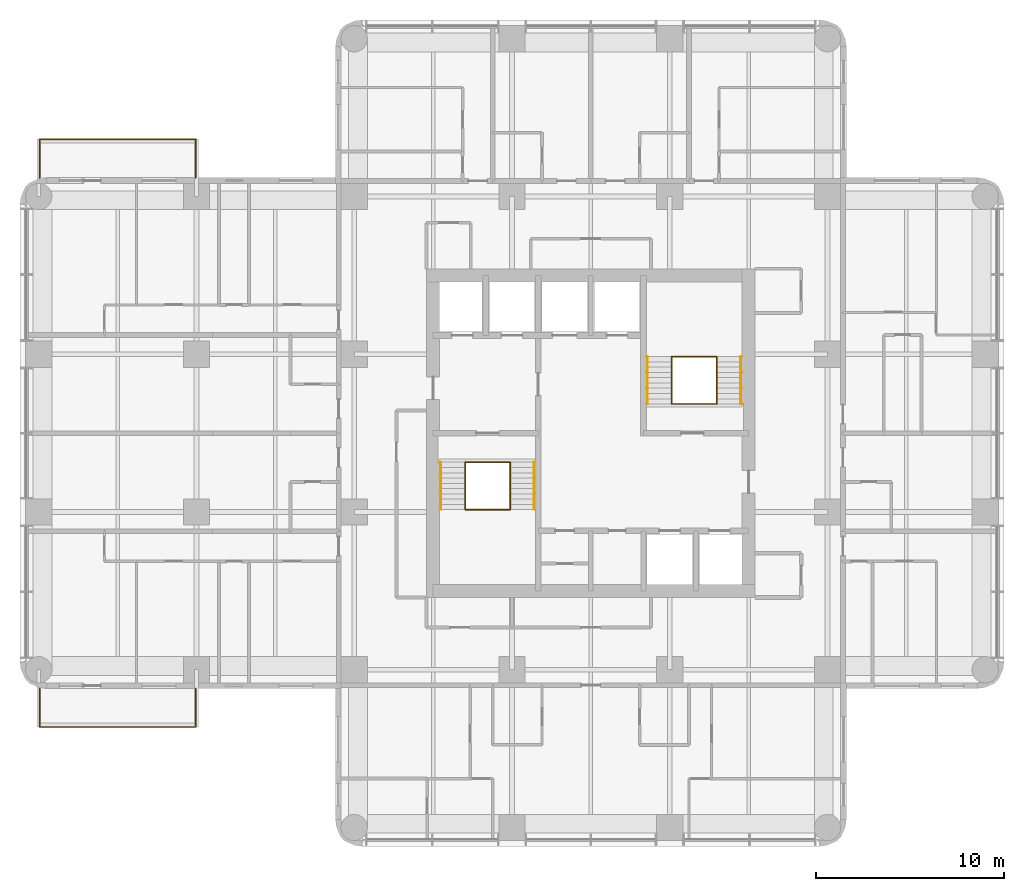
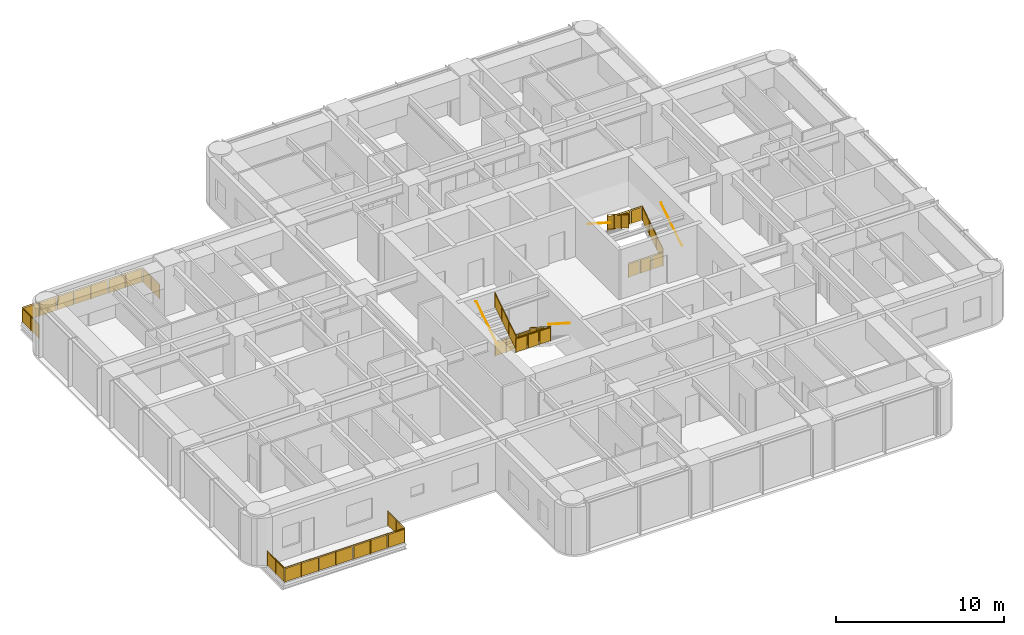
# One storey, part 11 of 11: 14 railings.
"""IFC4 building model written with IfcOpenShell, lengths in metres."""

from ifc_helpers import new_model, si_unit, direction, frame, origin, origin_2d, place, context, subcontext, project, spatial, polyline, circle, outline, extrude, material, constituent, constituent_set, type_object, element, save


model = new_model("IFC4")

# Units and contexts
model_context = context("Model", 3, precision=1e-05, world=origin(), true_north=direction((0.0, 1.0)))
body_context = subcontext(model_context, "Body", "Model", "MODEL_VIEW")
ifc_project = project(units=[si_unit("LENGTHUNIT", "METRE"), si_unit("AREAUNIT", "SQUARE_METRE"), si_unit("VOLUMEUNIT", "CUBIC_METRE"), si_unit("PLANEANGLEUNIT", "RADIAN"), si_unit("MASSUNIT", "GRAM", prefix="KILO")], contexts=[model_context])

# Site, building, storey
site_placement = place(None, origin())
site = spatial("IfcSite", under=ifc_project, at=site_placement, CompositionType="ELEMENT")
building_placement = place(site_placement, origin())
building = spatial("IfcBuilding", under=site, at=building_placement, Name="Torre Alcanfor", CompositionType="ELEMENT")
storey_placement = place(building_placement, frame((0.0, 0.0, 222.89990234375)))
storey = spatial("IfcBuildingStorey", under=building, at=storey_placement, Name="L58", CompositionType="ELEMENT", Elevation=222.89990234375)

# Railings
ifc_material_1 = material(Name="Laminated safety glass", Category="glass")
ifc_constituent_1 = constituent(ifc_material_1, Name="Infill")
ifc_material_2 = material(Name="Stainless steel ASTM A554 Grade MT 316L tube", Category="steel")
ifc_constituent_2 = constituent(ifc_material_2, Name="Posts and rail")
ifc_constituent_set = constituent_set(constituents=[ifc_constituent_1, ifc_constituent_2], Name="Balcony guard glass 1100")
railing_type_1 = type_object("IfcRailingType", Name="Balcony guard glass 1100", PredefinedType="BALUSTRADE", material=ifc_constituent_set)
railing_1_placement = place(storey_placement, frame((8.35009765625, 15.800048828125, 0.0)))
element("IfcRailing", 1, at=railing_1_placement, inside=storey, type_object=railing_type_1, Name="Balcony guard L58-W1", PredefinedType="BALUSTRADE", context=body_context, shape_type="SweptSolid", body=[
    extrude(circle(Radius=0.02392578125, at=origin_2d()), frame((0.0, 0.0, 1.076171875), z_axis=(0.0, -1.0, 0.0), x_axis=(1.0, 0.0, 0.0)), (0.0, 0.0, 1.0), 2.050048828125),
    extrude(circle(Radius=0.02392578125, at=origin_2d()), frame((0.0, -2.050048828125, 1.076171875), z_axis=(-1.0, 0.0, 0.0), x_axis=(0.0, -1.0, 0.0)), (0.0, 0.0, 1.0), 8.300048828125),
    extrude(circle(Radius=0.02392578125, at=origin_2d()), frame((-8.300048828125, -2.050048828125, 1.076171875), z_axis=(0.0, 1.0, 0.0), x_axis=(-1.0, 0.0, 0.0)), (0.0, 0.0, 1.0), 2.050048828125),
    extrude(circle(Radius=0.02099609375, at=origin_2d()), origin(), (0.0, 0.0, 1.0), 1.052001953125),
    extrude(circle(Radius=0.02099609375, at=origin_2d()), frame((0.0, -1.02490234375, 0.0)), (0.0, 0.0, 1.0), 1.052001953125),
    extrude(circle(Radius=0.02099609375, at=origin_2d()), frame((0.0, -2.050048828125, 0.0)), (0.0, 0.0, 1.0), 1.052001953125),
    extrude(circle(Radius=0.02099609375, at=origin_2d()), frame((-1.185791015625, -2.050048828125, 0.0)), (0.0, 0.0, 1.0), 1.052001953125),
    extrude(circle(Radius=0.02099609375, at=origin_2d()), frame((-2.371337890625, -2.050048828125, 0.0)), (0.0, 0.0, 1.0), 1.052001953125),
    extrude(circle(Radius=0.02099609375, at=origin_2d()), frame((-3.55712890625, -2.050048828125, 0.0)), (0.0, 0.0, 1.0), 1.052001953125),
    extrude(circle(Radius=0.02099609375, at=origin_2d()), frame((-4.742919921875, -2.050048828125, 0.0)), (0.0, 0.0, 1.0), 1.052001953125),
    extrude(circle(Radius=0.02099609375, at=origin_2d()), frame((-5.9287109375, -2.050048828125, 0.0)), (0.0, 0.0, 1.0), 1.052001953125),
    extrude(circle(Radius=0.02099609375, at=origin_2d()), frame((-7.1142578125, -2.050048828125, 0.0)), (0.0, 0.0, 1.0), 1.052001953125),
    extrude(circle(Radius=0.02099609375, at=origin_2d()), frame((-8.300048828125, -2.050048828125, 0.0)), (0.0, 0.0, 1.0), 1.052001953125),
    extrude(circle(Radius=0.02099609375, at=origin_2d()), frame((-8.300048828125, -1.02490234375, 0.0)), (0.0, 0.0, 1.0), 1.052001953125),
    extrude(circle(Radius=0.02099609375, at=origin_2d()), frame((-8.300048828125, 0.0, 0.0)), (0.0, 0.0, 1.0), 1.052001953125),
    extrude(outline(polyline([(0.041015625, 0.050048828125), (0.984130859375, 0.050048828125), (0.984130859375, 1.001953125), (0.041015625, 1.001953125), (0.041015625, 0.050048828125)])), frame((0.005859375, 0.0, 0.0), z_axis=(-1.0, 0.0, 0.0), x_axis=(0.0, -1.0, 0.0)), (0.0, 0.0, 1.0), 0.011962890625),
    extrude(outline(polyline([(1.06591796875, 0.050048828125), (2.009033203125, 0.050048828125), (2.009033203125, 1.001953125), (1.06591796875, 1.001953125), (1.06591796875, 0.050048828125)])), frame((0.005859375, 0.0, 0.0), z_axis=(-1.0, 0.0, 0.0), x_axis=(0.0, -1.0, 0.0)), (0.0, 0.0, 1.0), 0.011962890625),
    extrude(outline(polyline([(0.041015625, 0.050048828125), (1.144775390625, 0.050048828125), (1.144775390625, 1.001953125), (0.041015625, 1.001953125), (0.041015625, 0.050048828125)])), frame((0.0, -2.05615234375, 0.0), z_axis=(0.0, 1.0, 0.0), x_axis=(-1.0, 0.0, 0.0)), (0.0, 0.0, 1.0), 0.011962890625),
    extrude(outline(polyline([(1.226806640625, 0.050048828125), (2.330322265625, 0.050048828125), (2.330322265625, 1.001953125), (1.226806640625, 1.001953125), (1.226806640625, 0.050048828125)])), frame((0.0, -2.05615234375, 0.0), z_axis=(0.0, 1.0, 0.0), x_axis=(-1.0, 0.0, 0.0)), (0.0, 0.0, 1.0), 0.011962890625),
    extrude(outline(polyline([(2.412353515625, 0.050048828125), (3.51611328125, 0.050048828125), (3.51611328125, 1.001953125), (2.412353515625, 1.001953125), (2.412353515625, 0.050048828125)])), frame((0.0, -2.05615234375, 0.0), z_axis=(0.0, 1.0, 0.0), x_axis=(-1.0, 0.0, 0.0)), (0.0, 0.0, 1.0), 0.011962890625),
    extrude(outline(polyline([(3.59814453125, 0.050048828125), (4.701904296875, 0.050048828125), (4.701904296875, 1.001953125), (3.59814453125, 1.001953125), (3.59814453125, 0.050048828125)])), frame((0.0, -2.05615234375, 0.0), z_axis=(0.0, 1.0, 0.0), x_axis=(-1.0, 0.0, 0.0)), (0.0, 0.0, 1.0), 0.011962890625),
    extrude(outline(polyline([(4.783935546875, 0.050048828125), (5.8876953125, 0.050048828125), (5.8876953125, 1.001953125), (4.783935546875, 1.001953125), (4.783935546875, 0.050048828125)])), frame((0.0, -2.05615234375, 0.0), z_axis=(0.0, 1.0, 0.0), x_axis=(-1.0, 0.0, 0.0)), (0.0, 0.0, 1.0), 0.011962890625),
    extrude(outline(polyline([(5.9697265625, 0.050048828125), (7.0732421875, 0.050048828125), (7.0732421875, 1.001953125), (5.9697265625, 1.001953125), (5.9697265625, 0.050048828125)])), frame((0.0, -2.05615234375, 0.0), z_axis=(0.0, 1.0, 0.0), x_axis=(-1.0, 0.0, 0.0)), (0.0, 0.0, 1.0), 0.011962890625),
    extrude(outline(polyline([(7.1552734375, 0.050048828125), (8.259033203125, 0.050048828125), (8.259033203125, 1.001953125), (7.1552734375, 1.001953125), (7.1552734375, 0.050048828125)])), frame((0.0, -2.05615234375, 0.0), z_axis=(0.0, 1.0, 0.0), x_axis=(-1.0, 0.0, 0.0)), (0.0, 0.0, 1.0), 0.011962890625),
    extrude(outline(polyline([(0.041015625, 0.050048828125), (0.984130859375, 0.050048828125), (0.984130859375, 1.001953125), (0.041015625, 1.001953125), (0.041015625, 0.050048828125)])), frame((-8.30615234375, -2.050048828125, 0.0), z_axis=(1.0, 0.0, 0.0), x_axis=(0.0, 1.0, 0.0)), (0.0, 0.0, 1.0), 0.011962890625),
    extrude(outline(polyline([(1.06591796875, 0.050048828125), (2.009033203125, 0.050048828125), (2.009033203125, 1.001953125), (1.06591796875, 1.001953125), (1.06591796875, 0.050048828125)])), frame((-8.30615234375, -2.050048828125, 0.0), z_axis=(1.0, 0.0, 0.0), x_axis=(0.0, 1.0, 0.0)), (0.0, 0.0, 1.0), 0.011962890625),
])
railing_2_placement = place(storey_placement, frame((8.35009765625, 43.0, 0.0)))
element("IfcRailing", 2, at=railing_2_placement, inside=storey, type_object=railing_type_1, Name="Balcony guard L58-W2", PredefinedType="BALUSTRADE", context=body_context, shape_type="SweptSolid", body=[
    extrude(circle(Radius=0.02392578125, at=origin_2d()), frame((0.0, 0.0, 1.076171875), z_axis=(0.0, 1.0, 0.0), x_axis=(-1.0, 0.0, 0.0)), (0.0, 0.0, 1.0), 2.050048828125),
    extrude(circle(Radius=0.02392578125, at=origin_2d()), frame((0.0, 2.050048828125, 1.076171875), z_axis=(-1.0, 0.0, 0.0), x_axis=(0.0, -1.0, 0.0)), (0.0, 0.0, 1.0), 8.300048828125),
    extrude(circle(Radius=0.02392578125, at=origin_2d()), frame((-8.300048828125, 2.050048828125, 1.076171875), z_axis=(0.0, -1.0, 0.0), x_axis=(1.0, 0.0, 0.0)), (0.0, 0.0, 1.0), 2.050048828125),
    extrude(circle(Radius=0.02099609375, at=origin_2d()), origin(), (0.0, 0.0, 1.0), 1.052001953125),
    extrude(circle(Radius=0.02099609375, at=origin_2d()), frame((0.0, 1.02490234375, 0.0)), (0.0, 0.0, 1.0), 1.052001953125),
    extrude(circle(Radius=0.02099609375, at=origin_2d()), frame((0.0, 2.050048828125, 0.0)), (0.0, 0.0, 1.0), 1.052001953125),
    extrude(circle(Radius=0.02099609375, at=origin_2d()), frame((-1.185791015625, 2.050048828125, 0.0)), (0.0, 0.0, 1.0), 1.052001953125),
    extrude(circle(Radius=0.02099609375, at=origin_2d()), frame((-2.371337890625, 2.050048828125, 0.0)), (0.0, 0.0, 1.0), 1.052001953125),
    extrude(circle(Radius=0.02099609375, at=origin_2d()), frame((-3.55712890625, 2.050048828125, 0.0)), (0.0, 0.0, 1.0), 1.052001953125),
    extrude(circle(Radius=0.02099609375, at=origin_2d()), frame((-4.742919921875, 2.050048828125, 0.0)), (0.0, 0.0, 1.0), 1.052001953125),
    extrude(circle(Radius=0.02099609375, at=origin_2d()), frame((-5.9287109375, 2.050048828125, 0.0)), (0.0, 0.0, 1.0), 1.052001953125),
    extrude(circle(Radius=0.02099609375, at=origin_2d()), frame((-7.1142578125, 2.050048828125, 0.0)), (0.0, 0.0, 1.0), 1.052001953125),
    extrude(circle(Radius=0.02099609375, at=origin_2d()), frame((-8.300048828125, 2.050048828125, 0.0)), (0.0, 0.0, 1.0), 1.052001953125),
    extrude(circle(Radius=0.02099609375, at=origin_2d()), frame((-8.300048828125, 1.02490234375, 0.0)), (0.0, 0.0, 1.0), 1.052001953125),
    extrude(circle(Radius=0.02099609375, at=origin_2d()), frame((-8.300048828125, 0.0, 0.0)), (0.0, 0.0, 1.0), 1.052001953125),
    extrude(outline(polyline([(0.041015625, 0.050048828125), (0.984130859375, 0.050048828125), (0.984130859375, 1.001953125), (0.041015625, 1.001953125), (0.041015625, 0.050048828125)])), frame((-0.005859375, 0.0, 0.0), z_axis=(1.0, 0.0, 0.0), x_axis=(0.0, 1.0, 0.0)), (0.0, 0.0, 1.0), 0.011962890625),
    extrude(outline(polyline([(1.06591796875, 0.050048828125), (2.009033203125, 0.050048828125), (2.009033203125, 1.001953125), (1.06591796875, 1.001953125), (1.06591796875, 0.050048828125)])), frame((-0.005859375, 0.0, 0.0), z_axis=(1.0, 0.0, 0.0), x_axis=(0.0, 1.0, 0.0)), (0.0, 0.0, 1.0), 0.011962890625),
    extrude(outline(polyline([(0.041015625, 0.050048828125), (1.144775390625, 0.050048828125), (1.144775390625, 1.001953125), (0.041015625, 1.001953125), (0.041015625, 0.050048828125)])), frame((0.0, 2.0439453125, 0.0), z_axis=(0.0, 1.0, 0.0), x_axis=(-1.0, 0.0, 0.0)), (0.0, 0.0, 1.0), 0.011962890625),
    extrude(outline(polyline([(1.226806640625, 0.050048828125), (2.330322265625, 0.050048828125), (2.330322265625, 1.001953125), (1.226806640625, 1.001953125), (1.226806640625, 0.050048828125)])), frame((0.0, 2.0439453125, 0.0), z_axis=(0.0, 1.0, 0.0), x_axis=(-1.0, 0.0, 0.0)), (0.0, 0.0, 1.0), 0.011962890625),
    extrude(outline(polyline([(2.412353515625, 0.050048828125), (3.51611328125, 0.050048828125), (3.51611328125, 1.001953125), (2.412353515625, 1.001953125), (2.412353515625, 0.050048828125)])), frame((0.0, 2.0439453125, 0.0), z_axis=(0.0, 1.0, 0.0), x_axis=(-1.0, 0.0, 0.0)), (0.0, 0.0, 1.0), 0.011962890625),
    extrude(outline(polyline([(3.59814453125, 0.050048828125), (4.701904296875, 0.050048828125), (4.701904296875, 1.001953125), (3.59814453125, 1.001953125), (3.59814453125, 0.050048828125)])), frame((0.0, 2.0439453125, 0.0), z_axis=(0.0, 1.0, 0.0), x_axis=(-1.0, 0.0, 0.0)), (0.0, 0.0, 1.0), 0.011962890625),
    extrude(outline(polyline([(4.783935546875, 0.050048828125), (5.8876953125, 0.050048828125), (5.8876953125, 1.001953125), (4.783935546875, 1.001953125), (4.783935546875, 0.050048828125)])), frame((0.0, 2.0439453125, 0.0), z_axis=(0.0, 1.0, 0.0), x_axis=(-1.0, 0.0, 0.0)), (0.0, 0.0, 1.0), 0.011962890625),
    extrude(outline(polyline([(5.9697265625, 0.050048828125), (7.0732421875, 0.050048828125), (7.0732421875, 1.001953125), (5.9697265625, 1.001953125), (5.9697265625, 0.050048828125)])), frame((0.0, 2.0439453125, 0.0), z_axis=(0.0, 1.0, 0.0), x_axis=(-1.0, 0.0, 0.0)), (0.0, 0.0, 1.0), 0.011962890625),
    extrude(outline(polyline([(7.1552734375, 0.050048828125), (8.259033203125, 0.050048828125), (8.259033203125, 1.001953125), (7.1552734375, 1.001953125), (7.1552734375, 0.050048828125)])), frame((0.0, 2.0439453125, 0.0), z_axis=(0.0, 1.0, 0.0), x_axis=(-1.0, 0.0, 0.0)), (0.0, 0.0, 1.0), 0.011962890625),
    extrude(outline(polyline([(0.041015625, 0.050048828125), (0.984130859375, 0.050048828125), (0.984130859375, 1.001953125), (0.041015625, 1.001953125), (0.041015625, 0.050048828125)])), frame((-8.2939453125, 2.050048828125, 0.0), z_axis=(-1.0, 0.0, 0.0), x_axis=(0.0, -1.0, 0.0)), (0.0, 0.0, 1.0), 0.011962890625),
    extrude(outline(polyline([(1.06591796875, 0.050048828125), (2.009033203125, 0.050048828125), (2.009033203125, 1.001953125), (1.06591796875, 1.001953125), (1.06591796875, 0.050048828125)])), frame((-8.2939453125, 2.050048828125, 0.0), z_axis=(-1.0, 0.0, 0.0), x_axis=(0.0, -1.0, 0.0)), (0.0, 0.0, 1.0), 0.011962890625),
])
ifc_material_3 = material(Name="Steel ASTM A500 Grade C hollow sections", Category="steel")
railing_type_2 = type_object("IfcRailingType", Name="Stair guard and handrail 1100", PredefinedType="GUARDRAIL", material=ifc_material_3)
railing_3_placement = place(storey_placement, frame((25.10009765625, 27.85009765625, 0.18017578125)))
element("IfcRailing", 3, at=railing_3_placement, inside=storey, type_object=railing_type_2, Name="Stair guard S1 L58 flight 1", PredefinedType="GUARDRAIL", context=body_context, shape_type="SweptSolid", body=[
    extrude(circle(Radius=0.02392578125, at=origin_2d()), frame((0.0, 0.0, 1.076171875), z_axis=(0.0, -0.841199657755, 0.540724639528), x_axis=(1.0, 0.0, 0.0)), (0.0, 0.0, 1.0), 2.995849609375),
    extrude(circle(Radius=0.02099609375, at=origin_2d()), origin(), (0.0, 0.0, 1.0), 1.052001953125),
    extrude(circle(Radius=0.02099609375, at=origin_2d()), frame((0.0, -0.840087890625, 0.5400390625)), (0.0, 0.0, 1.0), 1.052001953125),
    extrude(circle(Radius=0.02099609375, at=origin_2d()), frame((0.0, -1.679931640625, 1.079833984375)), (0.0, 0.0, 1.0), 1.052001953125),
    extrude(circle(Radius=0.02099609375, at=origin_2d()), frame((0.0, -2.52001953125, 1.619873046875)), (0.0, 0.0, 1.0), 1.052001953125),
    extrude(outline(polyline([(0.041015625, 0.076416015625), (0.799072265625, 0.563720703125), (0.799072265625, 1.515625), (0.041015625, 1.0283203125), (0.041015625, 0.076416015625)])), frame((0.005859375, 0.0, 0.0), z_axis=(-1.0, 0.0, 0.0), x_axis=(0.0, -1.0, 0.0)), (0.0, 0.0, 1.0), 0.011962890625),
    extrude(outline(polyline([(0.881103515625, 0.6162109375), (1.638916015625, 1.103515625), (1.638916015625, 2.0556640625), (0.881103515625, 1.568359375), (0.881103515625, 0.6162109375)])), frame((0.005859375, 0.0, 0.0), z_axis=(-1.0, 0.0, 0.0), x_axis=(0.0, -1.0, 0.0)), (0.0, 0.0, 1.0), 0.011962890625),
    extrude(outline(polyline([(1.720947265625, 1.15625), (2.47900390625, 1.6435546875), (2.47900390625, 2.595458984375), (1.720947265625, 2.108154296875), (1.720947265625, 1.15625)])), frame((0.005859375, 0.0, 0.0), z_axis=(-1.0, 0.0, 0.0), x_axis=(0.0, -1.0, 0.0)), (0.0, 0.0, 1.0), 0.011962890625),
])
railing_4_placement = place(storey_placement, frame((22.699951171875, 25.330078125, 1.97998046875)))
element("IfcRailing", 4, at=railing_4_placement, inside=storey, type_object=railing_type_2, Name="Stair guard S1 L58 flight 2", PredefinedType="GUARDRAIL", context=body_context, shape_type="SweptSolid", body=[
    extrude(circle(Radius=0.02392578125, at=origin_2d()), frame((0.0, 0.0, 1.076171875), z_axis=(0.0, 0.841162588446, 0.540782303519), x_axis=(-1.0, 0.0, 0.0)), (0.0, 0.0, 1.0), 2.995849609375),
    extrude(circle(Radius=0.02099609375, at=origin_2d()), origin(), (0.0, 0.0, 1.0), 1.052001953125),
    extrude(circle(Radius=0.02099609375, at=origin_2d()), frame((0.0, 0.840087890625, 0.5400390625)), (0.0, 0.0, 1.0), 1.052001953125),
    extrude(circle(Radius=0.02099609375, at=origin_2d()), frame((0.0, 1.679931640625, 1.080078125)), (0.0, 0.0, 1.0), 1.052001953125),
    extrude(circle(Radius=0.02099609375, at=origin_2d()), frame((0.0, 2.52001953125, 1.6201171875)), (0.0, 0.0, 1.0), 1.052001953125),
    extrude(outline(polyline([(0.041015625, 0.076416015625), (0.799072265625, 0.563720703125), (0.799072265625, 1.515625), (0.041015625, 1.0283203125), (0.041015625, 0.076416015625)])), frame((-0.005859375, 0.0, 0.0), z_axis=(1.0, 0.0, 0.0), x_axis=(0.0, 1.0, 0.0)), (0.0, 0.0, 1.0), 0.011962890625),
    extrude(outline(polyline([(0.881103515625, 0.616455078125), (1.638916015625, 1.103759765625), (1.638916015625, 2.0556640625), (0.881103515625, 1.568359375), (0.881103515625, 0.616455078125)])), frame((-0.005859375, 0.0, 0.0), z_axis=(1.0, 0.0, 0.0), x_axis=(0.0, 1.0, 0.0)), (0.0, 0.0, 1.0), 0.011962890625),
    extrude(outline(polyline([(1.720947265625, 1.156494140625), (2.47900390625, 1.643798828125), (2.47900390625, 2.595703125), (1.720947265625, 2.1083984375), (1.720947265625, 1.156494140625)])), frame((-0.005859375, 0.0, 0.0), z_axis=(1.0, 0.0, 0.0), x_axis=(0.0, 1.0, 0.0)), (0.0, 0.0, 1.0), 0.011962890625),
])
for number, where, name in (
    (5, (22.699951171875, 27.85009765625, 0.0), "Stair well guard S1 L58 floor landing"),
    (6, (22.699951171875, 25.330078125, 1.800048828125), "Stair well guard S1 L58 half landing"),
):
    element("IfcRailing", number, at=place(storey_placement, frame(where)), inside=storey, type_object=railing_type_2, Name=name, PredefinedType="GUARDRAIL", context=body_context, shape_type="SweptSolid", body=[
        extrude(circle(Radius=0.02392578125, at=origin_2d()), frame((0.0, 0.0, 1.076171875), z_axis=(1.0, 0.0, 0.0), x_axis=(0.0, 1.0, 0.0)), (0.0, 0.0, 1.0), 2.400146484375),
        extrude(circle(Radius=0.02099609375, at=origin_2d()), origin(), (0.0, 0.0, 1.0), 1.052001953125),
        extrude(circle(Radius=0.02099609375, at=origin_2d()), frame((0.800048828125, 0.0, 0.0)), (0.0, 0.0, 1.0), 1.052001953125),
        extrude(circle(Radius=0.02099609375, at=origin_2d()), frame((1.60009765625, 0.0, 0.0)), (0.0, 0.0, 1.0), 1.052001953125),
        extrude(circle(Radius=0.02099609375, at=origin_2d()), frame((2.400146484375, 0.0, 0.0)), (0.0, 0.0, 1.0), 1.052001953125),
        extrude(outline(polyline([(0.041015625, 0.050048828125), (0.759033203125, 0.050048828125), (0.759033203125, 1.001953125), (0.041015625, 1.001953125), (0.041015625, 0.050048828125)])), frame((0.0, 0.005859375, 0.0), z_axis=(0.0, -1.0, 0.0), x_axis=(1.0, 0.0, 0.0)), (0.0, 0.0, 1.0), 0.011962890625),
        extrude(outline(polyline([(0.841064453125, 0.050048828125), (1.55908203125, 0.050048828125), (1.55908203125, 1.001953125), (0.841064453125, 1.001953125), (0.841064453125, 0.050048828125)])), frame((0.0, 0.005859375, 0.0), z_axis=(0.0, -1.0, 0.0), x_axis=(1.0, 0.0, 0.0)), (0.0, 0.0, 1.0), 0.011962890625),
        extrude(outline(polyline([(1.64111328125, 0.050048828125), (2.359130859375, 0.050048828125), (2.359130859375, 1.001953125), (1.64111328125, 1.001953125), (1.64111328125, 0.050048828125)])), frame((0.0, 0.005859375, 0.0), z_axis=(0.0, -1.0, 0.0), x_axis=(1.0, 0.0, 0.0)), (0.0, 0.0, 1.0), 0.011962890625),
    ])
railing_5_placement = place(storey_placement, frame((36.10009765625, 30.949951171875, 0.18017578125)))
element("IfcRailing", 7, at=railing_5_placement, inside=storey, type_object=railing_type_2, Name="Stair guard S2 L58 flight 1", PredefinedType="GUARDRAIL", context=body_context, shape_type="SweptSolid", body=[
    extrude(circle(Radius=0.02392578125, at=origin_2d()), frame((0.0, 0.0, 1.076171875), z_axis=(0.0, 0.841199657755, 0.540724639528), x_axis=(-1.0, 0.0, 0.0)), (0.0, 0.0, 1.0), 2.995849609375),
    extrude(circle(Radius=0.02099609375, at=origin_2d()), origin(), (0.0, 0.0, 1.0), 1.052001953125),
    extrude(circle(Radius=0.02099609375, at=origin_2d()), frame((0.0, 0.840087890625, 0.5400390625)), (0.0, 0.0, 1.0), 1.052001953125),
    extrude(circle(Radius=0.02099609375, at=origin_2d()), frame((0.0, 1.679931640625, 1.079833984375)), (0.0, 0.0, 1.0), 1.052001953125),
    extrude(circle(Radius=0.02099609375, at=origin_2d()), frame((0.0, 2.52001953125, 1.619873046875)), (0.0, 0.0, 1.0), 1.052001953125),
    extrude(outline(polyline([(0.041015625, 0.076416015625), (0.799072265625, 0.563720703125), (0.799072265625, 1.515625), (0.041015625, 1.0283203125), (0.041015625, 0.076416015625)])), frame((-0.005859375, 0.0, 0.0), z_axis=(1.0, 0.0, 0.0), x_axis=(0.0, 1.0, 0.0)), (0.0, 0.0, 1.0), 0.011962890625),
    extrude(outline(polyline([(0.881103515625, 0.6162109375), (1.638916015625, 1.103515625), (1.638916015625, 2.0556640625), (0.881103515625, 1.568359375), (0.881103515625, 0.6162109375)])), frame((-0.005859375, 0.0, 0.0), z_axis=(1.0, 0.0, 0.0), x_axis=(0.0, 1.0, 0.0)), (0.0, 0.0, 1.0), 0.011962890625),
    extrude(outline(polyline([(1.720947265625, 1.15625), (2.47900390625, 1.6435546875), (2.47900390625, 2.595458984375), (1.720947265625, 2.108154296875), (1.720947265625, 1.15625)])), frame((-0.005859375, 0.0, 0.0), z_axis=(1.0, 0.0, 0.0), x_axis=(0.0, 1.0, 0.0)), (0.0, 0.0, 1.0), 0.011962890625),
])
railing_6_placement = place(storey_placement, frame((33.699951171875, 33.469970703125, 1.97998046875)))
element("IfcRailing", 8, at=railing_6_placement, inside=storey, type_object=railing_type_2, Name="Stair guard S2 L58 flight 2", PredefinedType="GUARDRAIL", context=body_context, shape_type="SweptSolid", body=[
    extrude(circle(Radius=0.02392578125, at=origin_2d()), frame((0.0, 0.0, 1.076171875), z_axis=(0.0, -0.841162588446, 0.540782303519), x_axis=(1.0, 0.0, 0.0)), (0.0, 0.0, 1.0), 2.995849609375),
    extrude(circle(Radius=0.02099609375, at=origin_2d()), origin(), (0.0, 0.0, 1.0), 1.052001953125),
    extrude(circle(Radius=0.02099609375, at=origin_2d()), frame((0.0, -0.840087890625, 0.5400390625)), (0.0, 0.0, 1.0), 1.052001953125),
    extrude(circle(Radius=0.02099609375, at=origin_2d()), frame((0.0, -1.679931640625, 1.080078125)), (0.0, 0.0, 1.0), 1.052001953125),
    extrude(circle(Radius=0.02099609375, at=origin_2d()), frame((0.0, -2.52001953125, 1.6201171875)), (0.0, 0.0, 1.0), 1.052001953125),
    extrude(outline(polyline([(0.041015625, 0.076416015625), (0.799072265625, 0.563720703125), (0.799072265625, 1.515625), (0.041015625, 1.0283203125), (0.041015625, 0.076416015625)])), frame((0.005859375, 0.0, 0.0), z_axis=(-1.0, 0.0, 0.0), x_axis=(0.0, -1.0, 0.0)), (0.0, 0.0, 1.0), 0.011962890625),
    extrude(outline(polyline([(0.881103515625, 0.616455078125), (1.638916015625, 1.103759765625), (1.638916015625, 2.0556640625), (0.881103515625, 1.568359375), (0.881103515625, 0.616455078125)])), frame((0.005859375, 0.0, 0.0), z_axis=(-1.0, 0.0, 0.0), x_axis=(0.0, -1.0, 0.0)), (0.0, 0.0, 1.0), 0.011962890625),
    extrude(outline(polyline([(1.720947265625, 1.156494140625), (2.47900390625, 1.643798828125), (2.47900390625, 2.595703125), (1.720947265625, 2.1083984375), (1.720947265625, 1.156494140625)])), frame((0.005859375, 0.0, 0.0), z_axis=(-1.0, 0.0, 0.0), x_axis=(0.0, -1.0, 0.0)), (0.0, 0.0, 1.0), 0.011962890625),
])
for number, where, name in (
    (9, (33.699951171875, 30.949951171875, 0.0), "Stair well guard S2 L58 floor landing"),
    (10, (33.699951171875, 33.469970703125, 1.800048828125), "Stair well guard S2 L58 half landing"),
):
    element("IfcRailing", number, at=place(storey_placement, frame(where)), inside=storey, type_object=railing_type_2, Name=name, PredefinedType="GUARDRAIL", context=body_context, shape_type="SweptSolid", body=[
        extrude(circle(Radius=0.02392578125, at=origin_2d()), frame((0.0, 0.0, 1.076171875), z_axis=(1.0, 0.0, 0.0), x_axis=(0.0, 1.0, 0.0)), (0.0, 0.0, 1.0), 2.400146484375),
        extrude(circle(Radius=0.02099609375, at=origin_2d()), origin(), (0.0, 0.0, 1.0), 1.052001953125),
        extrude(circle(Radius=0.02099609375, at=origin_2d()), frame((0.800048828125, 0.0, 0.0)), (0.0, 0.0, 1.0), 1.052001953125),
        extrude(circle(Radius=0.02099609375, at=origin_2d()), frame((1.60009765625, 0.0, 0.0)), (0.0, 0.0, 1.0), 1.052001953125),
        extrude(circle(Radius=0.02099609375, at=origin_2d()), frame((2.400146484375, 0.0, 0.0)), (0.0, 0.0, 1.0), 1.052001953125),
        extrude(outline(polyline([(0.041015625, 0.050048828125), (0.759033203125, 0.050048828125), (0.759033203125, 1.001953125), (0.041015625, 1.001953125), (0.041015625, 0.050048828125)])), frame((0.0, 0.005859375, 0.0), z_axis=(0.0, -1.0, 0.0), x_axis=(1.0, 0.0, 0.0)), (0.0, 0.0, 1.0), 0.011962890625),
        extrude(outline(polyline([(0.841064453125, 0.050048828125), (1.55908203125, 0.050048828125), (1.55908203125, 1.001953125), (0.841064453125, 1.001953125), (0.841064453125, 0.050048828125)])), frame((0.0, 0.005859375, 0.0), z_axis=(0.0, -1.0, 0.0), x_axis=(1.0, 0.0, 0.0)), (0.0, 0.0, 1.0), 0.011962890625),
        extrude(outline(polyline([(1.64111328125, 0.050048828125), (2.359130859375, 0.050048828125), (2.359130859375, 1.001953125), (1.64111328125, 1.001953125), (1.64111328125, 0.050048828125)])), frame((0.0, 0.005859375, 0.0), z_axis=(0.0, -1.0, 0.0), x_axis=(1.0, 0.0, 0.0)), (0.0, 0.0, 1.0), 0.011962890625),
    ])
ifc_material_4 = material(Name="Steel ASTM A500 Grade C hollow sections", Category="steel")
railing_type_3 = type_object("IfcRailingType", Name="Stair wall handrail 900", PredefinedType="HANDRAIL", material=ifc_material_4)
railing_7_placement = place(storey_placement, frame((26.385009765625, 27.85009765625, 0.18017578125)))
element("IfcRailing", 11, at=railing_7_placement, inside=storey, type_object=railing_type_3, Name="Stair handrail S1 L58 flight 1", PredefinedType="HANDRAIL", context=body_context, shape_type="SweptSolid", body=[
    extrude(circle(Radius=0.02392578125, at=origin_2d()), frame((0.0, 0.0, 0.8759765625), z_axis=(0.0, -0.841199657755, 0.540724639528), x_axis=(1.0, 0.0, 0.0)), (0.0, 0.0, 1.0), 2.995849609375),
    extrude(circle(Radius=0.008056640625, at=origin_2d()), frame((0.0, 0.0, 0.8759765625), z_axis=(1.0, 0.0, 0.0), x_axis=(0.0, 0.0, 1.0)), (0.0, 0.0, 1.0), 0.06494140625),
    extrude(circle(Radius=0.008056640625, at=origin_2d()), frame((0.0, -0.840087890625, 1.415771484375), z_axis=(1.0, 0.0, 0.0), x_axis=(0.0, 0.0, 1.0)), (0.0, 0.0, 1.0), 0.06494140625),
    extrude(circle(Radius=0.008056640625, at=origin_2d()), frame((0.0, -1.679931640625, 1.955810546875), z_axis=(1.0, 0.0, 0.0), x_axis=(0.0, 0.0, 1.0)), (0.0, 0.0, 1.0), 0.06494140625),
    extrude(circle(Radius=0.008056640625, at=origin_2d()), frame((0.0, -2.52001953125, 2.49560546875), z_axis=(1.0, 0.0, 0.0), x_axis=(0.0, 0.0, 1.0)), (0.0, 0.0, 1.0), 0.06494140625),
])
railing_8_placement = place(storey_placement, frame((21.4150390625, 25.330078125, 1.97998046875)))
element("IfcRailing", 12, at=railing_8_placement, inside=storey, type_object=railing_type_3, Name="Stair handrail S1 L58 flight 2", PredefinedType="HANDRAIL", context=body_context, shape_type="SweptSolid", body=[
    extrude(circle(Radius=0.02392578125, at=origin_2d()), frame((0.0, 0.0, 0.8759765625), z_axis=(0.0, 0.841162588446, 0.540782303519), x_axis=(-1.0, 0.0, 0.0)), (0.0, 0.0, 1.0), 2.995849609375),
    extrude(circle(Radius=0.008056640625, at=origin_2d()), frame((0.0, 0.0, 0.8759765625), z_axis=(-1.0, 0.0, 0.0), x_axis=(0.0, 0.0, 1.0)), (0.0, 0.0, 1.0), 0.06494140625),
    extrude(circle(Radius=0.008056640625, at=origin_2d()), frame((0.0, 0.840087890625, 1.416015625), z_axis=(-1.0, 0.0, 0.0), x_axis=(0.0, 0.0, 1.0)), (0.0, 0.0, 1.0), 0.06494140625),
    extrude(circle(Radius=0.008056640625, at=origin_2d()), frame((0.0, 1.679931640625, 1.9560546875), z_axis=(-1.0, 0.0, 0.0), x_axis=(0.0, 0.0, 1.0)), (0.0, 0.0, 1.0), 0.06494140625),
    extrude(circle(Radius=0.008056640625, at=origin_2d()), frame((0.0, 2.52001953125, 2.49609375), z_axis=(-1.0, 0.0, 0.0), x_axis=(0.0, 0.0, 1.0)), (0.0, 0.0, 1.0), 0.06494140625),
])
railing_9_placement = place(storey_placement, frame((37.385009765625, 30.949951171875, 0.18017578125)))
element("IfcRailing", 13, at=railing_9_placement, inside=storey, type_object=railing_type_3, Name="Stair handrail S2 L58 flight 1", PredefinedType="HANDRAIL", context=body_context, shape_type="SweptSolid", body=[
    extrude(circle(Radius=0.02392578125, at=origin_2d()), frame((0.0, 0.0, 0.8759765625), z_axis=(0.0, 0.841199657755, 0.540724639528), x_axis=(-1.0, 0.0, 0.0)), (0.0, 0.0, 1.0), 2.995849609375),
    extrude(circle(Radius=0.008056640625, at=origin_2d()), frame((0.0, 0.0, 0.8759765625), z_axis=(1.0, 0.0, 0.0), x_axis=(0.0, 0.0, 1.0)), (0.0, 0.0, 1.0), 0.06494140625),
    extrude(circle(Radius=0.008056640625, at=origin_2d()), frame((0.0, 0.840087890625, 1.415771484375), z_axis=(1.0, 0.0, 0.0), x_axis=(0.0, 0.0, 1.0)), (0.0, 0.0, 1.0), 0.06494140625),
    extrude(circle(Radius=0.008056640625, at=origin_2d()), frame((0.0, 1.679931640625, 1.955810546875), z_axis=(1.0, 0.0, 0.0), x_axis=(0.0, 0.0, 1.0)), (0.0, 0.0, 1.0), 0.06494140625),
    extrude(circle(Radius=0.008056640625, at=origin_2d()), frame((0.0, 2.52001953125, 2.49560546875), z_axis=(1.0, 0.0, 0.0), x_axis=(0.0, 0.0, 1.0)), (0.0, 0.0, 1.0), 0.06494140625),
])
railing_10_placement = place(storey_placement, frame((32.4150390625, 33.469970703125, 1.97998046875)))
element("IfcRailing", 14, at=railing_10_placement, inside=storey, type_object=railing_type_3, Name="Stair handrail S2 L58 flight 2", PredefinedType="HANDRAIL", context=body_context, shape_type="SweptSolid", body=[
    extrude(circle(Radius=0.02392578125, at=origin_2d()), frame((0.0, 0.0, 0.8759765625), z_axis=(0.0, -0.841162588446, 0.540782303519), x_axis=(1.0, 0.0, 0.0)), (0.0, 0.0, 1.0), 2.995849609375),
    extrude(circle(Radius=0.008056640625, at=origin_2d()), frame((0.0, 0.0, 0.8759765625), z_axis=(-1.0, 0.0, 0.0), x_axis=(0.0, 0.0, 1.0)), (0.0, 0.0, 1.0), 0.06494140625),
    extrude(circle(Radius=0.008056640625, at=origin_2d()), frame((0.0, -0.840087890625, 1.416015625), z_axis=(-1.0, 0.0, 0.0), x_axis=(0.0, 0.0, 1.0)), (0.0, 0.0, 1.0), 0.06494140625),
    extrude(circle(Radius=0.008056640625, at=origin_2d()), frame((0.0, -1.679931640625, 1.9560546875), z_axis=(-1.0, 0.0, 0.0), x_axis=(0.0, 0.0, 1.0)), (0.0, 0.0, 1.0), 0.06494140625),
    extrude(circle(Radius=0.008056640625, at=origin_2d()), frame((0.0, -2.52001953125, 2.49609375), z_axis=(-1.0, 0.0, 0.0), x_axis=(0.0, 0.0, 1.0)), (0.0, 0.0, 1.0), 0.06494140625),
])

save(model, "model.ifc")
